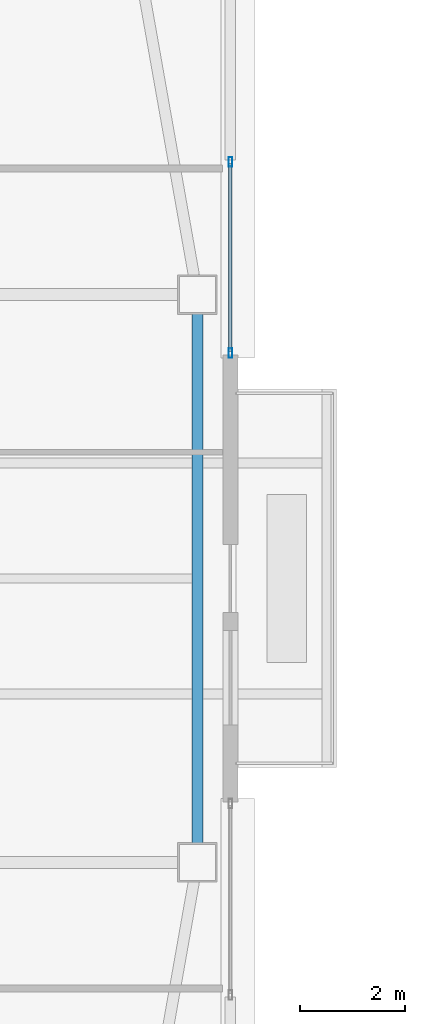
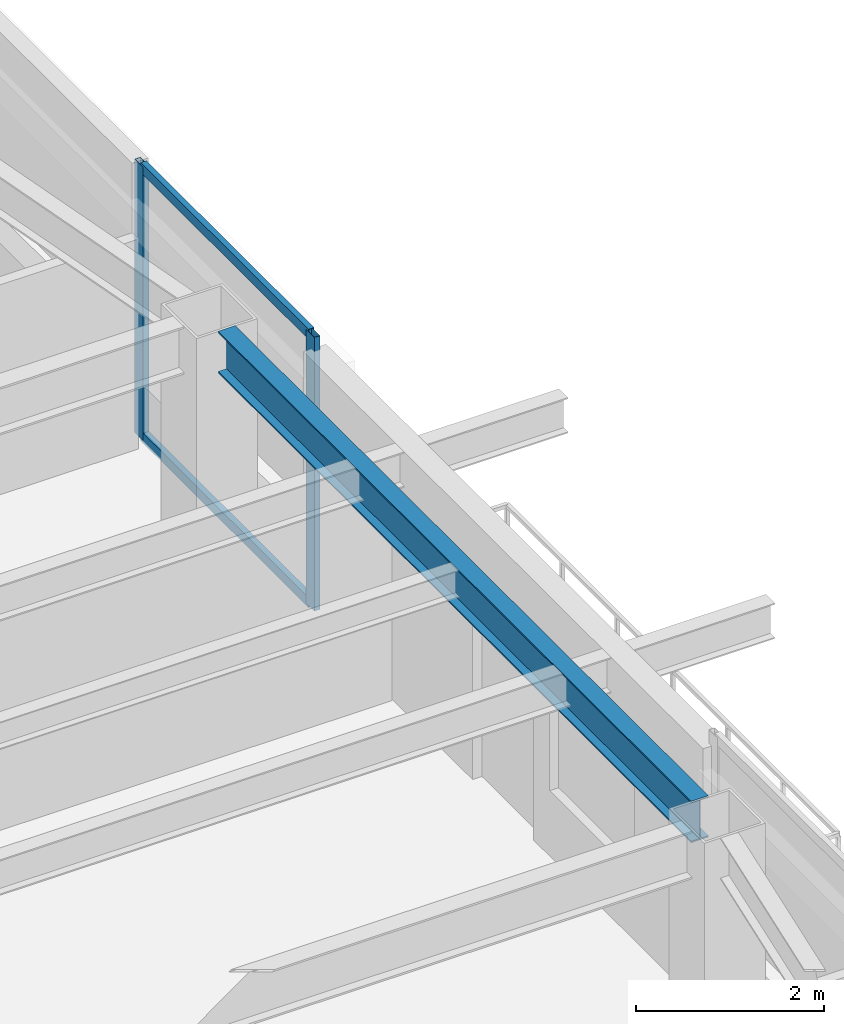
# One storey, part 10 of 41: 4 members, 1 beam, 1 element without a shape of its own.
"""IFC4 building model written with IfcOpenShell, lengths in metres."""

from ifc_helpers import new_model, si_unit, direction, frame, origin, origin_2d, place, context, subcontext, project, spatial, hollow_rectangle, i_section, extrude, material, material_profile, profile_set, type_object, element, aggregate, save


model = new_model("IFC4")

# Units and contexts
model_context = context("Model", 3, precision=1e-05, world=origin(), true_north=direction((0.0, 1.0)))
body_context = subcontext(model_context, "Body", "Model", "MODEL_VIEW")
ifc_project = project(units=[si_unit("LENGTHUNIT", "METRE"), si_unit("AREAUNIT", "SQUARE_METRE"), si_unit("VOLUMEUNIT", "CUBIC_METRE"), si_unit("PLANEANGLEUNIT", "RADIAN"), si_unit("MASSUNIT", "GRAM", prefix="KILO")], contexts=[model_context])

# Site, building, storey
site_placement = place(None, origin())
site = spatial("IfcSite", under=ifc_project, at=site_placement, CompositionType="ELEMENT")
building_placement = place(site_placement, origin())
building = spatial("IfcBuilding", under=site, at=building_placement, Name="Tashvorn Skyway Center", CompositionType="ELEMENT")
storey_placement = place(building_placement, frame((0.0, 0.0, 171.199951171875)))
storey = spatial("IfcBuildingStorey", under=building, at=storey_placement, Name="L46", CompositionType="ELEMENT", Elevation=171.199951171875)

# Beam
ifc_material_1 = material(Name="Steel ASTM A992 Grade 50", Category="steel")
ifc_material_profile_1 = material_profile(ifc_material_1, i_section(OverallWidth=0.2109375, OverallDepth=0.5390625, WebThickness=0.01171875, FlangeThickness=0.018798828125, at=origin_2d()), Name="W21X73")
ifc_profile_set_1 = profile_set([ifc_material_profile_1], Name="Steel ASTM A992 Grade 50")
beam_type = type_object("IfcBeamType", Name="BM-SPANDREL-W21X73", PredefinedType="SPANDREL", material=ifc_profile_set_1)
beam_placement = place(storey_placement, frame((59.050048828125, 26.969970703125, 3.1005859375), z_axis=(0.0, 1.0, 0.0), x_axis=(-1.0, 0.0, 0.0)))
element("IfcBeam", 1, at=beam_placement, inside=storey, type_object=beam_type, Name="Tower 1 L46 Spandrel Beam 05", PredefinedType="SPANDREL", context=body_context, shape_type="SweptSolid", body=[
    extrude(i_section(OverallWidth=0.2109375, OverallDepth=0.5390625, WebThickness=0.01171875, FlangeThickness=0.018798828125, at=origin_2d()), origin(), (0.0, 0.0, 1.0), 10.06005859375),
])

# Curtain wall, members
ifc_material_2 = material(Name="Thermally broken bronze-anodized aluminium 6063-T6", Category="aluminium")
curtain_wall_type = type_object("IfcCurtainWallType", Name="CW-CW-Z4", PredefinedType="NOTDEFINED", material=ifc_material_2)
curtain_wall_placement = place(storey_placement, origin())
curtain_wall = element("IfcCurtainWall", 2, at=curtain_wall_placement, inside=storey, type_object=curtain_wall_type, Name="Tower 1 L46 East Curtain Wall L Glazing Group 2", PredefinedType="NOTDEFINED")
ifc_material_profile_2 = material_profile(ifc_material_2, hollow_rectangle(XDim=0.070068359375, YDim=0.179931640625, WallThickness=0.00390625, at=origin_2d()), Name="ALU-MULL-70x180")
ifc_profile_set_2 = profile_set([ifc_material_profile_2], Name="Thermally broken bronze-anodized aluminium 6063-T6")
member_type_1 = type_object("IfcMemberType", Name="CWM-CW-Z4", PredefinedType="MULLION", material=ifc_profile_set_2)
member_1_placement = place(storey_placement, frame((59.679931640625, 39.925048828125, 0.0), z_axis=(0.0, 0.0, 1.0), x_axis=(1.0, 0.0, 0.0)))
member_1 = element("IfcMember", 3, at=member_1_placement, type_object=member_type_1, Name="CW-Z4 mullion 1", PredefinedType="MULLION", context=body_context, shape_type="SweptSolid", body=[
    extrude(hollow_rectangle(XDim=0.070068359375, YDim=0.179931640625, WallThickness=0.00390625, at=origin_2d()), origin(), (0.0, 0.0, 1.0), 3.550048828125),
])
member_2_placement = place(storey_placement, frame((59.679931640625, 36.284912109375, 0.0), z_axis=(0.0, 0.0, 1.0), x_axis=(1.0, 0.0, 0.0)))
member_2 = element("IfcMember", 4, at=member_2_placement, type_object=member_type_1, Name="CW-Z4 mullion 2", PredefinedType="MULLION", context=body_context, shape_type="SweptSolid", body=[
    extrude(hollow_rectangle(XDim=0.070068359375, YDim=0.179931640625, WallThickness=0.00390625, at=origin_2d()), origin(), (0.0, 0.0, 1.0), 3.550048828125),
])
ifc_material_profile_3 = material_profile(ifc_material_2, hollow_rectangle(XDim=0.070068359375, YDim=0.1298828125, WallThickness=0.00390625, at=origin_2d()), Name="ALU-TRAN-70x130")
ifc_profile_set_3 = profile_set([ifc_material_profile_3], Name="Thermally broken bronze-anodized aluminium 6063-T6")
member_type_2 = type_object("IfcMemberType", Name="CWT-CW-Z4", PredefinedType="USERDEFINED", material=ifc_profile_set_3)
member_3_placement = place(storey_placement, frame((59.679931640625, 39.889892578125, 0.03515625), z_axis=(0.0, -1.0, 0.0), x_axis=(1.0, 0.0, 0.0)))
member_3 = element("IfcMember", 5, at=member_3_placement, type_object=member_type_2, Name="CW-Z4 transom 1.1", ObjectType="TRANSOM", PredefinedType="USERDEFINED", context=body_context, shape_type="SweptSolid", body=[
    extrude(hollow_rectangle(XDim=0.070068359375, YDim=0.1298828125, WallThickness=0.00390625, at=origin_2d()), origin(), (0.0, 0.0, 1.0), 3.56982421875),
])
member_4_placement = place(storey_placement, frame((59.679931640625, 39.889892578125, 3.51513671875), z_axis=(0.0, -1.0, 0.0), x_axis=(1.0, 0.0, 0.0)))
member_4 = element("IfcMember", 6, at=member_4_placement, type_object=member_type_2, Name="CW-Z4 transom 1.2", ObjectType="TRANSOM", PredefinedType="USERDEFINED", context=body_context, shape_type="SweptSolid", body=[
    extrude(hollow_rectangle(XDim=0.070068359375, YDim=0.1298828125, WallThickness=0.00390625, at=origin_2d()), origin(), (0.0, 0.0, 1.0), 3.56982421875),
])
aggregate(curtain_wall, [member_1, member_2, member_3, member_4])

save(model, "model.ifc")
